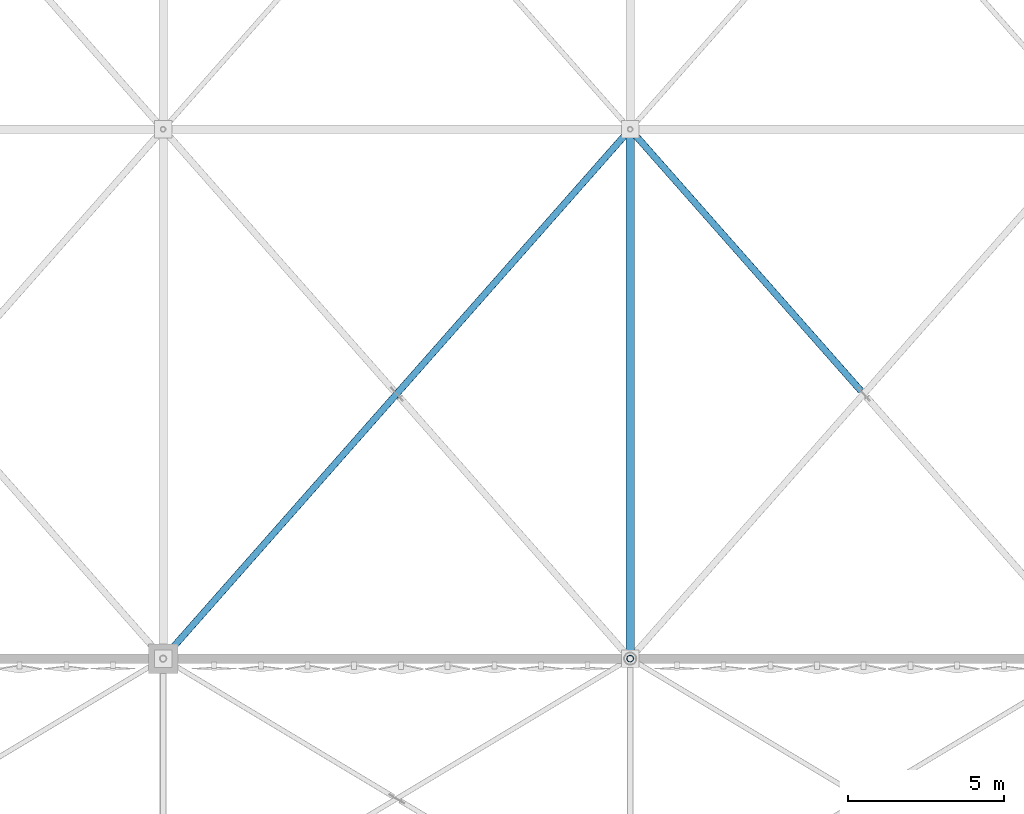
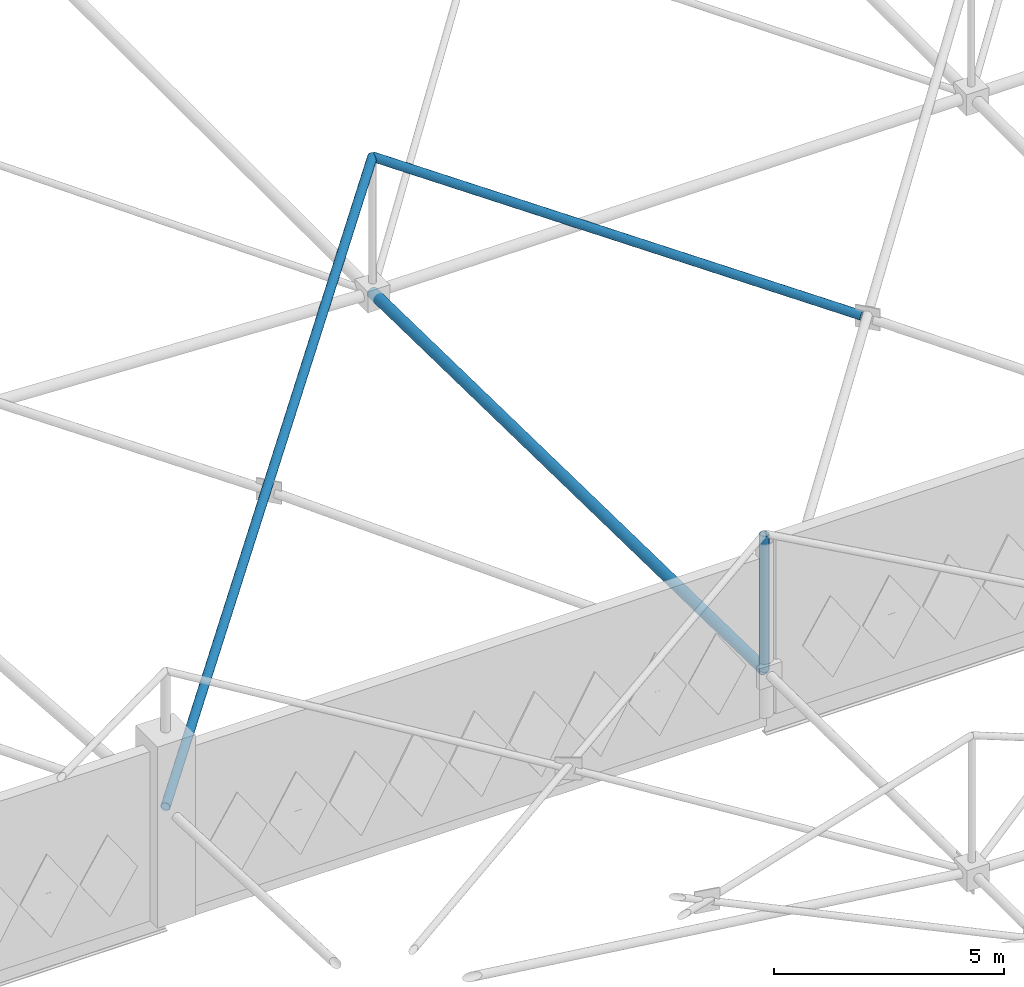
# One storey, part 28 of 224: 4 members.
"""IFC4 building model written with IfcOpenShell, lengths in metres."""

from ifc_helpers import new_model, si_unit, direction, frame, origin, origin_2d, place, context, subcontext, project, spatial, hollow_circle, extrude, material, material_profile, profile_set, type_object, element, save


model = new_model("IFC4")

# Units and contexts
model_context = context("Model", 3, precision=1e-05, world=origin(), true_north=direction((0.0, 1.0)))
body_context = subcontext(model_context, "Body", "Model", "MODEL_VIEW")
ifc_project = project(units=[si_unit("LENGTHUNIT", "METRE"), si_unit("AREAUNIT", "SQUARE_METRE"), si_unit("VOLUMEUNIT", "CUBIC_METRE"), si_unit("PLANEANGLEUNIT", "RADIAN"), si_unit("MASSUNIT", "GRAM", prefix="KILO")], contexts=[model_context])

# Site, building, storey
site_placement = place(None, origin())
site = spatial("IfcSite", under=ifc_project, at=site_placement, CompositionType="ELEMENT")
building_placement = place(site_placement, origin())
building = spatial("IfcBuilding", under=site, at=building_placement, Name="Qamarlyn Nura Convention Centre", CompositionType="ELEMENT")
storey_placement = place(building_placement, frame((0.0, 0.0, 10.800048828125)))
storey = spatial("IfcBuildingStorey", under=building, at=storey_placement, Name="L02", CompositionType="ELEMENT", Elevation=10.800048828125)

# Members
ifc_material = material(Name="Pearl-white PVDF steel ASTM A500 Grade C", Category="steel")
ifc_material_profile_1 = material_profile(ifc_material, hollow_circle(Radius=0.136474609375, WallThickness=0.012451171875, at=origin_2d()), Name="CHS273X12.5")
ifc_profile_set_1 = profile_set([ifc_material_profile_1], Name="Pearl-white PVDF steel ASTM A500 Grade C")
member_type_1 = type_object("IfcMemberType", Name="SF-BC-MAIN", PredefinedType="CHORD", material=ifc_profile_set_1)
member_1_placement = place(storey_placement, frame((30.0, 18.0, 1.150634765625), z_axis=(0.0, 0.999820912032, -0.018924689253), x_axis=(-1.0, 0.0, 0.0)))
element("IfcMember", 1, at=member_1_placement, inside=storey, type_object=member_type_1, Name="ROOF TRUSS space frame bottom chord Y4-2", PredefinedType="CHORD", context=body_context, shape_type="SweptSolid", body=[
    extrude(hollow_circle(Radius=0.136474609375, WallThickness=0.012451171875, at=origin_2d()), origin(), (0.0, 0.0, 1.0), 17.0029296875),
])
ifc_material_profile_2 = material_profile(ifc_material, hollow_circle(Radius=0.109619140625, WallThickness=0.010009765625, at=origin_2d()), Name="CHS219.1X10")
ifc_profile_set_2 = profile_set([ifc_material_profile_2], Name="Pearl-white PVDF steel ASTM A500 Grade C")
member_type_2 = type_object("IfcMemberType", Name="SF-WEB-HVY", PredefinedType="BRACE", material=ifc_profile_set_2)
member_2_placement = place(storey_placement, frame((15.0, 18.0, 2.7685546875), z_axis=(0.659854381115, 0.747834965264, 0.073041498144), x_axis=(-0.749837855365, 0.661621637087, 0.0)))
element("IfcMember", 2, at=member_2_placement, inside=storey, type_object=member_type_2, Name="ROOF TRUSS space frame diagonal A 3-2", PredefinedType="BRACE", context=body_context, shape_type="SweptSolid", body=[
    extrude(hollow_circle(Radius=0.109619140625, WallThickness=0.010009765625, at=origin_2d()), origin(), (0.0, 0.0, 1.0), 22.732177734375),
])
member_3_placement = place(storey_placement, frame((30.0, 18.0, 1.150634765625), z_axis=(0.0, 0.0, 1.0), x_axis=(1.0, 0.0, 0.0)))
element("IfcMember", 3, at=member_3_placement, inside=storey, type_object=member_type_2, Name="ROOF TRUSS space frame vertical 4-2", PredefinedType="BRACE", context=body_context, shape_type="SweptSolid", body=[
    extrude(hollow_circle(Radius=0.109619140625, WallThickness=0.010009765625, at=origin_2d()), origin(), (0.0, 0.0, 1.0), 3.599853515625),
])
member_4_placement = place(storey_placement, frame((37.408447265625, 26.603759765625, 2.717041015625), z_axis=(-0.654022300591, 0.741225274003, 0.151128830837), x_axis=(-0.749837855365, -0.661621637087, 0.0)))
element("IfcMember", 4, at=member_4_placement, inside=storey, type_object=member_type_2, Name="ROOF TRUSS space frame split diagonal B2 4-2", PredefinedType="BRACE", context=body_context, shape_type="SweptSolid", body=[
    extrude(hollow_circle(Radius=0.109619140625, WallThickness=0.010009765625, at=origin_2d()), origin(), (0.0, 0.0, 1.0), 11.32763671875),
])

save(model, "model.ifc")
